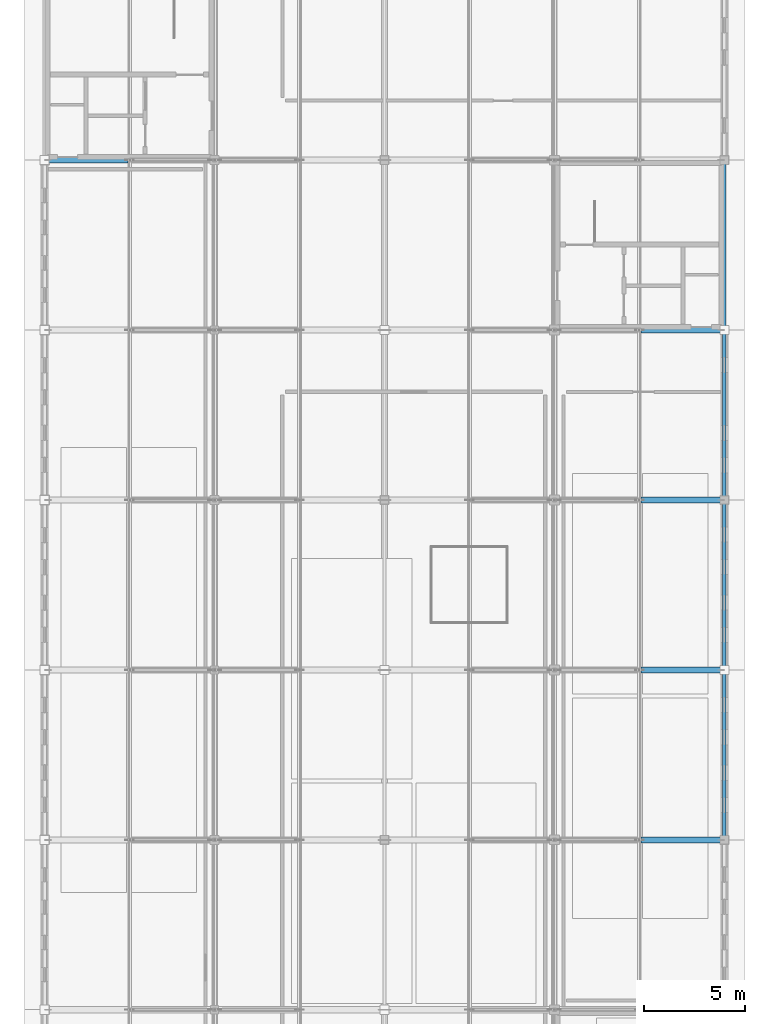
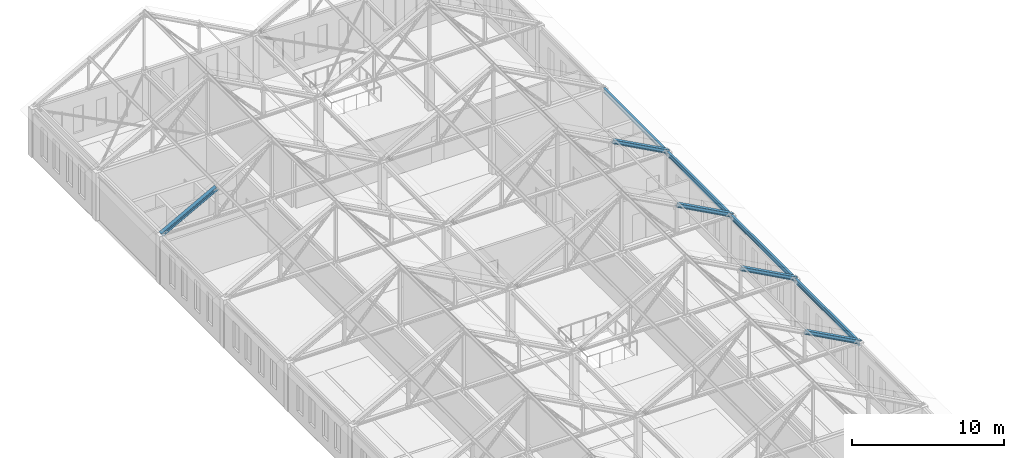
# One storey, part 11 of 36: 5 members, 4 beams.
"""IFC4 building model written with IfcOpenShell, lengths in metres."""

from ifc_helpers import new_model, si_unit, direction, frame, origin, origin_2d, place, context, subcontext, project, spatial, i_section, extrude, material, material_profile, profile_set, type_object, element, save


model = new_model("IFC4")

# Units and contexts
model_context = context("Model", 3, precision=1e-05, world=origin(), true_north=direction((0.0, 1.0)))
body_context = subcontext(model_context, "Body", "Model", "MODEL_VIEW")
ifc_project = project(units=[si_unit("LENGTHUNIT", "METRE"), si_unit("AREAUNIT", "SQUARE_METRE"), si_unit("VOLUMEUNIT", "CUBIC_METRE"), si_unit("PLANEANGLEUNIT", "RADIAN"), si_unit("MASSUNIT", "GRAM", prefix="KILO")], contexts=[model_context])

# Site, building, storey
site_placement = place(None, origin())
site = spatial("IfcSite", under=ifc_project, at=site_placement, CompositionType="ELEMENT")
building_placement = place(site_placement, origin())
building = spatial("IfcBuilding", under=site, at=building_placement, Name="Kveldsbrygga Polytechnic", CompositionType="ELEMENT")
storey_placement = place(building_placement, frame((0.0, 0.0, 26.179931640625)))
storey = spatial("IfcBuildingStorey", under=building, at=storey_placement, Name="L06", CompositionType="ELEMENT", Elevation=26.179931640625)

# Beams
ifc_material = material(Name="Steel S355", Category="steel")
ifc_material_profile_1 = material_profile(ifc_material, i_section(OverallWidth=0.169921875, OverallDepth=0.360107421875, WebThickness=0.008056640625, FlangeThickness=0.0126953125, FilletRadius=0.01806640625, at=origin_2d()), Name="IPE 360")
ifc_profile_set_1 = profile_set([ifc_material_profile_1], Name="Steel S355")
beam_type = type_object("IfcBeamType", Name="BM-STL-IPE360", PredefinedType="BEAM", material=ifc_profile_set_1)
beam_1_placement = place(storey_placement, frame((159.60009765625, 50.39990234375, 3.66015625), z_axis=(0.0, 1.0, 0.0), x_axis=(-1.0, 0.0, 0.0)))
element("IfcBeam", 1, at=beam_1_placement, inside=storey, type_object=beam_type, Name="Attic Eaves Tie Beam BMY-L06-TOP-19-06", PredefinedType="BEAM", context=body_context, shape_type="SweptSolid", body=[
    extrude(i_section(OverallWidth=0.169921875, OverallDepth=0.360107421875, WebThickness=0.008056640625, FlangeThickness=0.0126953125, FilletRadius=0.01806640625, at=origin_2d()), origin(), (0.0, 0.0, 1.0), 8.400146484375),
])
beam_2_placement = place(storey_placement, frame((159.60009765625, 58.800048828125, 3.66015625), z_axis=(0.0, 1.0, 0.0), x_axis=(-1.0, 0.0, 0.0)))
element("IfcBeam", 2, at=beam_2_placement, inside=storey, type_object=beam_type, Name="Attic Eaves Tie Beam BMY-L06-TOP-19-07", PredefinedType="BEAM", context=body_context, shape_type="SweptSolid", body=[
    extrude(i_section(OverallWidth=0.169921875, OverallDepth=0.360107421875, WebThickness=0.008056640625, FlangeThickness=0.0126953125, FilletRadius=0.01806640625, at=origin_2d()), origin(), (0.0, 0.0, 1.0), 8.39990234375),
])
beam_3_placement = place(storey_placement, frame((159.60009765625, 67.199951171875, 3.66015625), z_axis=(0.0, 1.0, 0.0), x_axis=(-1.0, 0.0, 0.0)))
element("IfcBeam", 3, at=beam_3_placement, inside=storey, type_object=beam_type, Name="Attic Eaves Tie Beam BMY-L06-TOP-19-08", PredefinedType="BEAM", context=body_context, shape_type="SweptSolid", body=[
    extrude(i_section(OverallWidth=0.169921875, OverallDepth=0.360107421875, WebThickness=0.008056640625, FlangeThickness=0.0126953125, FilletRadius=0.01806640625, at=origin_2d()), origin(), (0.0, 0.0, 1.0), 8.400146484375),
])
beam_4_placement = place(storey_placement, frame((159.60009765625, 75.60009765625, 3.66015625), z_axis=(0.0, 1.0, 0.0), x_axis=(-1.0, 0.0, 0.0)))
element("IfcBeam", 4, at=beam_4_placement, inside=storey, type_object=beam_type, Name="Attic Eaves Tie Beam BMY-L06-TOP-19-09", PredefinedType="BEAM", context=body_context, shape_type="SweptSolid", body=[
    extrude(i_section(OverallWidth=0.169921875, OverallDepth=0.360107421875, WebThickness=0.008056640625, FlangeThickness=0.0126953125, FilletRadius=0.01806640625, at=origin_2d()), origin(), (0.0, 0.0, 1.0), 8.39990234375),
])

# Members
ifc_material_profile_2 = material_profile(ifc_material, i_section(OverallWidth=0.300048828125, OverallDepth=0.2900390625, WebThickness=0.008544921875, FlangeThickness=0.013916015625, FilletRadius=0.027099609375, at=origin_2d()), Name="HEA 300")
ifc_profile_set_2 = profile_set([ifc_material_profile_2], Name="Steel S355")
member_type = type_object("IfcMemberType", Name="TR-TOP-HEA300", PredefinedType="CHORD", material=ifc_profile_set_2)
member_placement = place(storey_placement, frame((126.0, 84.0, 3.840087890625), z_axis=(0.879298209803, 0.0, 0.47627162233), x_axis=(0.0, 1.0, 0.0)))
element("IfcMember", 5, at=member_placement, inside=storey, type_object=member_type, Name="Truss Top Chord V4M1-T09-TC-1", PredefinedType="CHORD", context=body_context, shape_type="SweptSolid", body=[
    extrude(i_section(OverallWidth=0.300048828125, OverallDepth=0.2900390625, WebThickness=0.008544921875, FlangeThickness=0.013916015625, FilletRadius=0.027099609375, at=origin_2d()), origin(), (0.0, 0.0, 1.0), 4.7763671875),
])
for number, where, z_axis, x_axis, name in (
    (6, (155.39990234375, 50.39990234375, 6.114990234375), (0.879309803238, 0.0, -0.476250217773), (0.0, 1.0, 0.0), "Truss Top Chord V4M2-T05-TC-4"),
    (7, (155.39990234375, 58.800048828125, 6.114990234375), (0.879309803238, 0.0, -0.476250217773), (0.0, 1.0, 0.0), "Truss Top Chord V4M2-T06-TC-4"),
    (8, (155.39990234375, 67.199951171875, 6.114990234375), (0.879309803238, 0.0, -0.476250217773), (0.0, 1.0, 0.0), "Truss Top Chord V4M2-T07-TC-4"),
    (9, (155.39990234375, 75.60009765625, 6.114990234375), (0.879309803238, 0.0, -0.476250217773), (0.0, 1.0, 0.0), "Truss Top Chord V4M2-T08-TC-4"),
):
    element("IfcMember", number, at=place(storey_placement, frame(where, z_axis=z_axis, x_axis=x_axis)), inside=storey, type_object=member_type, Name=name, PredefinedType="CHORD", context=body_context, shape_type="SweptSolid", body=[
        extrude(i_section(OverallWidth=0.300048828125, OverallDepth=0.2900390625, WebThickness=0.008544921875, FlangeThickness=0.013916015625, FilletRadius=0.027099609375, at=origin_2d()), origin(), (0.0, 0.0, 1.0), 4.776611328125),
    ])

save(model, "model.ifc")
